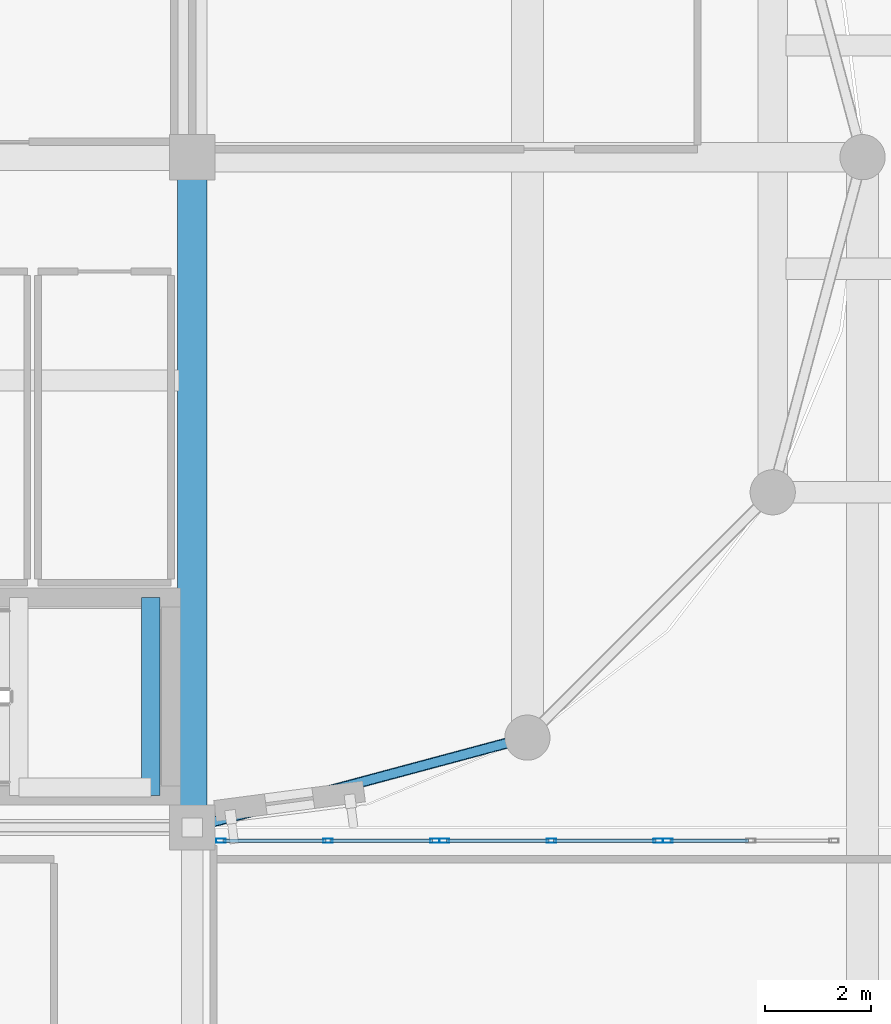
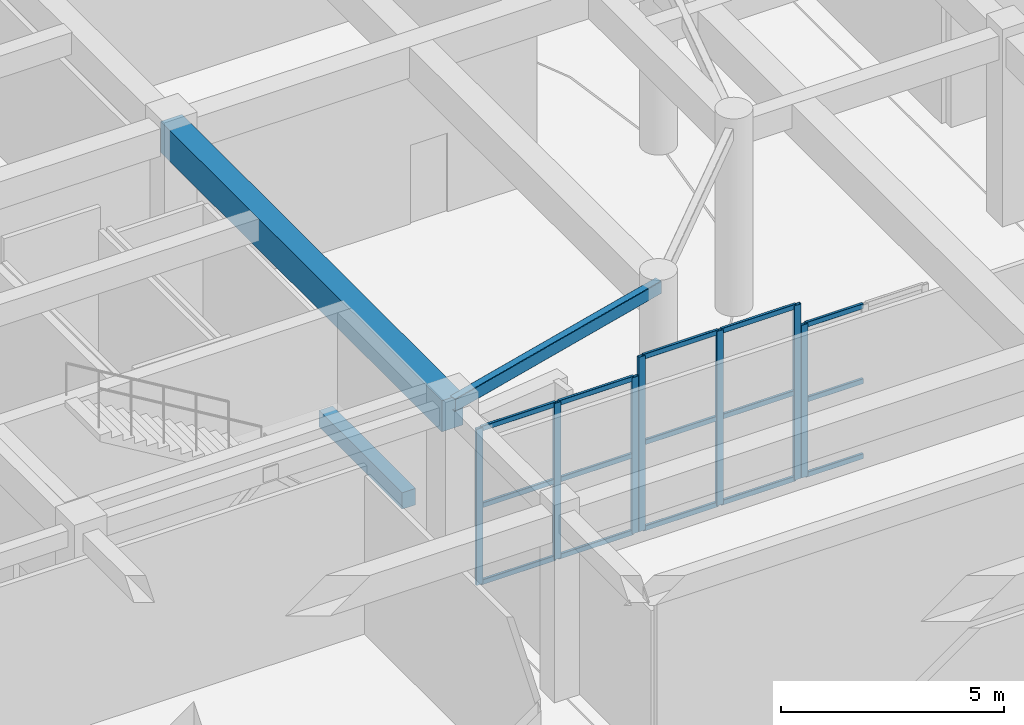
# One storey, part 38 of 98: 22 members, 3 beams, 3 elements without a shape of their own.
"""IFC4 building model written with IfcOpenShell, lengths in metres."""

import ifcopenshell
import ifcopenshell.guid

model = None  # the IFC model being written
_history = None  # IfcOwnerHistory: only IFC2X3 demands one
_inside = {}  # id of a spatial element -> (the spatial element, [elements in it])
_under = {}  # id of a project, library or spatial element -> (it, [spatial elements below it])
_declared = {}  # id of a project -> (the project, [libraries it declares])
_typed = {}  # id of a type object -> (the type object, [elements of that type])
_made_of = {}  # id of a material, layer set ... -> (it, [elements and type objects made of it])


def new_model(schema):
    """Start an empty IFC model of exactly this schema.

    Asked for "IFC4X3", IfcOpenShell would pick the latest addendum, in which some entities
    have other attributes; the version numbers below select the first issue.
    IFC2X3 requires an IfcOwnerHistory on every rooted entity: one is made here for all.
    """
    global model, _history
    if schema == "IFC4X3":
        model = ifcopenshell.file(schema_version=(4, 3, 0, 0))
    else:
        model = ifcopenshell.file(schema=schema)
    _inside.clear()
    _under.clear()
    _declared.clear()
    _typed.clear()
    _made_of.clear()
    _history = None
    if model.schema == "IFC2X3":
        org = make("IfcOrganization", Name="unknown")
        user = make(
            "IfcPersonAndOrganization",
            ThePerson=make("IfcPerson", FamilyName="unknown"),
            TheOrganization=org,
        )
        app = make(
            "IfcApplication",
            ApplicationDeveloper=org,
            Version="unknown",
            ApplicationFullName="unknown",
            ApplicationIdentifier="unknown",
        )
        _history = make(
            "IfcOwnerHistory",
            OwningUser=user,
            OwningApplication=app,
            ChangeAction="ADDED",
            CreationDate=0,
        )
    return model


def make(cls, **values):
    """One entity of the class cls with the attributes given. An attribute that is None is left unset."""
    return model.create_entity(
        cls, **{name: value for name, value in values.items() if value is not None}
    )


def rooted(cls, **values):
    """An entity with a GlobalId (a new one), such as an element, a storey or a relation."""
    return make(cls, GlobalId=ifcopenshell.guid.new(), OwnerHistory=_history, **values)


def si_unit(unit_type, name, prefix=None):
    """IfcSIUnit, for example si_unit("LENGTHUNIT", "METRE", prefix="MILLI")."""
    return make("IfcSIUnit", UnitType=unit_type, Prefix=prefix, Name=name)


def assignment(units):
    """IfcUnitAssignment: the units of a project."""
    return None if units is None else make("IfcUnitAssignment", Units=units)


def point(xyz):
    """IfcCartesianPoint."""
    return None if xyz is None else make("IfcCartesianPoint", Coordinates=xyz)


def direction(xyz):
    """IfcDirection."""
    return None if xyz is None else make("IfcDirection", DirectionRatios=xyz)


def frame(location, z_axis=None, x_axis=None):
    """IfcAxis2Placement3D, a coordinate frame: its origin and axes. An axis left out is left unset."""
    return make(
        "IfcAxis2Placement3D",
        Location=point(location),
        Axis=direction(z_axis),
        RefDirection=direction(x_axis),
    )


def frame_2d(location, x_axis=None):
    """IfcAxis2Placement2D, a coordinate frame in the plane: its origin and x axis."""
    return make(
        "IfcAxis2Placement2D", Location=point(location), RefDirection=direction(x_axis)
    )


def origin():
    """The frame at (0, 0, 0) with its axes left unset."""
    return frame((0.0, 0.0, 0.0))


def origin_2d():
    """The frame at (0, 0) in the plane with its x axis left unset."""
    return frame_2d((0.0, 0.0))


def place(relative_to, where):
    """IfcLocalPlacement: puts the frame where relative to a parent placement (None: the world)."""
    return make(
        "IfcLocalPlacement", PlacementRelTo=relative_to, RelativePlacement=where
    )


def context(
    kind, dimensions, precision=None, world=None, true_north=None, identifier=None
):
    """IfcGeometricRepresentationContext, for example the 3D "Model" context."""
    return make(
        "IfcGeometricRepresentationContext",
        ContextIdentifier=identifier,
        ContextType=kind,
        CoordinateSpaceDimension=dimensions,
        Precision=precision,
        WorldCoordinateSystem=world,
        TrueNorth=true_north,
    )


def subcontext(parent, identifier, kind, view, scale=None):
    """IfcGeometricRepresentationSubContext, for example "Body" below "Model"."""
    return make(
        "IfcGeometricRepresentationSubContext",
        ContextIdentifier=identifier,
        ContextType=kind,
        ParentContext=parent,
        TargetScale=scale,
        TargetView=view,
    )


def project(units=None, contexts=None):
    """IfcProject with its units and contexts."""
    return rooted(
        "IfcProject",
        Name="project",
        RepresentationContexts=contexts,
        UnitsInContext=assignment(units),
    )


def spatial(cls, under=None, at=None, **own):
    """A site, building, storey or space (cls), placed at a placement, below another one or the project."""
    s = rooted(cls, ObjectPlacement=at, **own)
    if under is not None:
        _under.setdefault(under.id(), (under, []))[1].append(s)
    return s


def profile(cls, at=None, kind="AREA", **sizes):
    """A parametric profile (cls). Its sizes go by their IFC names, for example OverallWidth=200.0."""
    return make(cls, ProfileType=kind, Position=at, **sizes)


def rectangle(**sizes):
    """IfcRectangleProfileDef."""
    return profile("IfcRectangleProfileDef", **sizes)


def hollow_rectangle(**sizes):
    """IfcRectangleHollowProfileDef."""
    return profile("IfcRectangleHollowProfileDef", **sizes)


def extrude(swept, where, along, depth):
    """IfcExtrudedAreaSolid: the profile swept, set in the frame where, extruded along a direction by depth."""
    return make(
        "IfcExtrudedAreaSolid",
        SweptArea=swept,
        Position=where,
        ExtrudedDirection=direction(along),
        Depth=depth,
    )


def shape(context_of_items, identifier, shape_type, items):
    """IfcShapeRepresentation: the items that make up one representation, for example the "Body"."""
    return make(
        "IfcShapeRepresentation",
        ContextOfItems=context_of_items,
        RepresentationIdentifier=identifier,
        RepresentationType=shape_type,
        Items=items,
    )


def material(Name=None, Category=None):
    """IfcMaterial."""
    return make("IfcMaterial", Name=Name, Category=Category)


def layer(
    of_material, thickness, ventilated=None, Name=None, Category=None, Priority=None
):
    """IfcMaterialLayer: one layer of a wall or slab, of a material (None: an air gap)."""
    return make(
        "IfcMaterialLayer",
        Material=of_material,
        LayerThickness=thickness,
        IsVentilated=ventilated,
        Name=Name,
        Category=Category,
        Priority=Priority,
    )


def layer_set(layers, Name=None):
    """IfcMaterialLayerSet."""
    return make("IfcMaterialLayerSet", MaterialLayers=layers, LayerSetName=Name)


def material_profile(
    of_material, cross_section, Name=None, Category=None, Priority=None
):
    """IfcMaterialProfile: a cross section and its material."""
    return make(
        "IfcMaterialProfile",
        Name=Name,
        Material=of_material,
        Profile=cross_section,
        Priority=Priority,
        Category=Category,
    )


def profile_set(profiles, Name=None, composite=None):
    """IfcMaterialProfileSet."""
    return make(
        "IfcMaterialProfileSet",
        Name=Name,
        MaterialProfiles=profiles,
        CompositeProfile=composite,
    )


def made_of(thing, what):
    """Note that an element or type object is made of a material, layer set ...; save() writes the relation."""
    if what is not None:
        _made_of.setdefault(what.id(), (what, []))[1].append(thing)
    return thing


def type_object(cls, material=None, **own):
    """A type object (cls), such as IfcWallType, which elements share."""
    return made_of(rooted(cls, **own), material)


def element(
    cls,
    number,
    at=None,
    inside=None,
    cuts=None,
    type_object=None,
    material=None,
    context=None,
    identifier="Body",
    shape_type=None,
    held_by="IfcProductDefinitionShape",
    body=None,
    shapes=None,
    **own,
):
    """One element of the class cls, such as IfcWall. Its Tag is "e" and its number.

    at: its placement. inside: the storey or other place that contains it. cuts: it is an
    opening in that element (IfcRelVoidsElement). A single representation is given by context,
    identifier, shape_type and body (its items); several are given by shapes. held_by: the class
    of the entity that holds the representations. save() writes the other relations.
    """
    e = rooted(cls, Tag="e%d" % number, ObjectPlacement=at, **own)
    if body is not None:
        shapes = [shape(context, identifier, shape_type, body)]
    if shapes is not None:
        e.Representation = make(held_by, Representations=shapes)
    if inside is not None:
        _inside.setdefault(inside.id(), (inside, []))[1].append(e)
    if cuts is not None:
        rooted(
            "IfcRelVoidsElement", RelatingBuildingElement=cuts, RelatedOpeningElement=e
        )
    if type_object is not None:
        _typed.setdefault(type_object.id(), (type_object, []))[1].append(e)
    return made_of(e, material)


def aggregate(whole, parts):
    """IfcRelAggregates: a whole, such as a stair, and the parts it consists of."""
    return rooted("IfcRelAggregates", RelatingObject=whole, RelatedObjects=parts)


def save(model, path):
    """Write the relations noted so far, then the file.

    IfcRelAggregates (storeys below a building ...), IfcRelContainedInSpatialStructure (elements
    in a storey), IfcRelDefinesByType, IfcRelAssociatesMaterial and IfcRelDeclares: one each for
    every whole, place, type object, material and project.
    """
    for whole, parts in _under.values():
        aggregate(whole, parts)
    for where, things in _inside.values():
        rooted(
            "IfcRelContainedInSpatialStructure",
            RelatedElements=things,
            RelatingStructure=where,
        )
    for kind, things in _typed.values():
        rooted("IfcRelDefinesByType", RelatedObjects=things, RelatingType=kind)
    for what, things in _made_of.values():
        rooted("IfcRelAssociatesMaterial", RelatedObjects=things, RelatingMaterial=what)
    for by, libraries in _declared.values():
        rooted("IfcRelDeclares", RelatingContext=by, RelatedDefinitions=libraries)
    model.write(path)


model = new_model("IFC4")

# Units and contexts
model_context = context("Model", 3, precision=1e-05, world=origin(), true_north=direction((0.0, 1.0)))
body_context = subcontext(model_context, "Body", "Model", "MODEL_VIEW")
ifc_project = project(units=[si_unit("LENGTHUNIT", "METRE"), si_unit("AREAUNIT", "SQUARE_METRE"), si_unit("VOLUMEUNIT", "CUBIC_METRE"), si_unit("PLANEANGLEUNIT", "RADIAN"), si_unit("MASSUNIT", "GRAM", prefix="KILO")], contexts=[model_context])

# Site, building, storey
site_placement = place(None, origin())
site = spatial("IfcSite", under=ifc_project, at=site_placement, CompositionType="ELEMENT")
building_placement = place(site_placement, origin())
building = spatial("IfcBuilding", under=site, at=building_placement, Name="Tarnavel Promenade Courthouse", CompositionType="ELEMENT")
storey_placement = place(building_placement, origin())
storey = spatial("IfcBuildingStorey", under=building, at=storey_placement, Name="L01", CompositionType="ELEMENT", Elevation=0.0)

# Beams
ifc_material_1 = material(Name="Concrete C40/50", Category="concrete")
ifc_material_profile_1 = material_profile(ifc_material_1, rectangle(XDim=0.550048828125, YDim=0.85009765625, at=origin_2d()), Name="PT 550x850")
ifc_profile_set_1 = profile_set([ifc_material_profile_1], Name="Concrete C40/50")
beam_type_1 = type_object("IfcBeamType", Name="Concrete C40/50 BM-PT-550x850 (PT 550x850)", PredefinedType="T_BEAM", material=ifc_profile_set_1)
beam_1_placement = place(storey_placement, frame((102.0, 79.199951171875, 4.7099609375), z_axis=(0.0, 1.0, 0.0), x_axis=(-1.0, 0.0, 0.0)))
element("IfcBeam", 1, at=beam_1_placement, inside=storey, type_object=beam_type_1, Name="L01 Transverse Girder 0824", PredefinedType="T_BEAM", context=body_context, shape_type="SweptSolid", body=[
    extrude(rectangle(XDim=0.550048828125, YDim=0.85009765625, at=origin_2d()), origin(), (0.0, 0.0, 1.0), 12.60009765625),
])
ifc_material_profile_2 = material_profile(ifc_material_1, rectangle(XDim=0.35009765625, YDim=0.449951171875, at=origin_2d()), Name="RC 350x450")
ifc_profile_set_2 = profile_set([ifc_material_profile_2], Name="Concrete C40/50")
beam_type_2 = type_object("IfcBeamType", Name="Concrete C40/50 BM-RC-350x450 (RC 350x450)", PredefinedType="BEAM", material=ifc_profile_set_2)
beam_2_placement = place(storey_placement, frame((101.219970703125, 79.800048828125, 2.27001953125), z_axis=(0.0, 1.0, 0.0), x_axis=(-1.0, 0.0, 0.0)))
element("IfcBeam", 2, at=beam_2_placement, inside=storey, type_object=beam_type_2, Name="L01 ST-02 Mid-Landing Support Beam Far", PredefinedType="BEAM", context=body_context, shape_type="SweptSolid", body=[
    extrude(rectangle(XDim=0.35009765625, YDim=0.449951171875, at=origin_2d()), origin(), (0.0, 0.0, 1.0), 3.719970703125),
])
ifc_material_2 = material(Name="Steel S355J2", Category="steel")
ifc_material_profile_3 = material_profile(ifc_material_2, hollow_rectangle(XDim=0.199951171875, YDim=0.35009765625, WallThickness=0.012451171875, InnerFilletRadius=0.012451171875, OuterFilletRadius=0.02490234375, at=origin_2d()), Name="RHS 350x200x12.5")
ifc_profile_set_3 = profile_set([ifc_material_profile_3], Name="Steel S355J2")
beam_type_3 = type_object("IfcBeamType", Name="Steel S355J2 BM-ST-RHS350 (RHS 350x200x12.5)", PredefinedType="SPANDREL", material=ifc_profile_set_3)
beam_3_placement = place(storey_placement, frame((102.0, 79.199951171875, 4.9599609375), z_axis=(0.965920481897, 0.258838989821, 0.0), x_axis=(-0.258838989821, 0.965920481897, 0.0)))
element("IfcBeam", 3, at=beam_3_placement, inside=storey, type_object=beam_type_3, Name="L01 Drum Ring Spandrel 1060", PredefinedType="SPANDREL", context=body_context, shape_type="SweptSolid", body=[
    extrude(hollow_rectangle(XDim=0.199951171875, YDim=0.35009765625, WallThickness=0.012451171875, InnerFilletRadius=0.012451171875, OuterFilletRadius=0.02490234375, at=origin_2d()), origin(), (0.0, 0.0, 1.0), 6.522216796875),
])

# Curtain wall, members
ifc_material_3 = material(Name="Thermally Broken Anodised Aluminium Curtain Wall System", Category="aluminium")
ifc_layer = layer(ifc_material_3, 0.2099609375)
ifc_layer_set = layer_set([ifc_layer], Name="Thermally Broken Anodised Aluminium Curtain Wall System")
curtain_wall_type = type_object("IfcCurtainWallType", Name="Thermally Broken Aluminium Triple-Glazed Curtain Wall CW-WG-N", PredefinedType="NOTDEFINED", material=ifc_layer_set)
curtain_wall_1_placement = place(storey_placement, origin())
curtain_wall_1 = element("IfcCurtainWall", 4, at=curtain_wall_1_placement, inside=storey, type_object=curtain_wall_type, Name="L01 Winter-Garden North Curtain Wall 105", PredefinedType="NOTDEFINED")
ifc_material_4 = material(Name="Thermally Broken Anodised Aluminium Frame", Category="aluminium")
ifc_material_profile_4 = material_profile(ifc_material_4, hollow_rectangle(XDim=0.080078125, YDim=0.179931640625, WallThickness=0.0048828125, InnerFilletRadius=0.0048828125, OuterFilletRadius=0.010009765625, at=origin_2d()), Name="CWM 180x80x5")
ifc_profile_set_4 = profile_set([ifc_material_profile_4], Name="Thermally Broken Anodised Aluminium Frame")
member_type_1 = type_object("IfcMemberType", Name="Thermally Broken Anodised Aluminium CWM-155 (CWM 180x80x5)", PredefinedType="MULLION", material=ifc_profile_set_4)
member_1_placement = place(storey_placement, frame((102.5400390625, 78.949951171875, 0.0), z_axis=(0.0, 0.0, 1.0), x_axis=(0.0, 1.0, 0.0)))
member_1 = element("IfcMember", 5, at=member_1_placement, type_object=member_type_1, Name="CW-03 mullion 1", PredefinedType="MULLION", context=body_context, shape_type="SweptSolid", body=[
    extrude(hollow_rectangle(XDim=0.080078125, YDim=0.179931640625, WallThickness=0.0048828125, InnerFilletRadius=0.0048828125, OuterFilletRadius=0.010009765625, at=origin_2d()), origin(), (0.0, 0.0, 1.0), 4.27001953125),
])
member_2_placement = place(storey_placement, frame((104.550048828125, 78.949951171875, 0.0), z_axis=(0.0, 0.0, 1.0), x_axis=(0.0, 1.0, 0.0)))
member_2 = element("IfcMember", 6, at=member_2_placement, type_object=member_type_1, Name="CW-03 mullion 2", PredefinedType="MULLION", context=body_context, shape_type="SweptSolid", body=[
    extrude(hollow_rectangle(XDim=0.080078125, YDim=0.179931640625, WallThickness=0.0048828125, InnerFilletRadius=0.0048828125, OuterFilletRadius=0.010009765625, at=origin_2d()), origin(), (0.0, 0.0, 1.0), 4.27001953125),
])
member_3_placement = place(storey_placement, frame((106.56005859375, 78.949951171875, 0.0), z_axis=(0.0, 0.0, 1.0), x_axis=(0.0, 1.0, 0.0)))
member_3 = element("IfcMember", 7, at=member_3_placement, type_object=member_type_1, Name="CW-03 mullion 3", PredefinedType="MULLION", context=body_context, shape_type="SweptSolid", body=[
    extrude(hollow_rectangle(XDim=0.080078125, YDim=0.179931640625, WallThickness=0.0048828125, InnerFilletRadius=0.0048828125, OuterFilletRadius=0.010009765625, at=origin_2d()), origin(), (0.0, 0.0, 1.0), 4.27001953125),
])

curtain_wall_2_placement = place(storey_placement, origin())
curtain_wall_2 = element("IfcCurtainWall", 8, at=curtain_wall_2_placement, inside=storey, type_object=curtain_wall_type, Name="L01 Winter-Garden North Curtain Wall 106", PredefinedType="NOTDEFINED")
member_4_placement = place(storey_placement, frame((106.739990234375, 78.949951171875, 0.0), z_axis=(0.0, 0.0, 1.0), x_axis=(0.0, 1.0, 0.0)))
member_4 = element("IfcMember", 9, at=member_4_placement, type_object=member_type_1, Name="CW-03 mullion 1", PredefinedType="MULLION", context=body_context, shape_type="SweptSolid", body=[
    extrude(hollow_rectangle(XDim=0.080078125, YDim=0.179931640625, WallThickness=0.0048828125, InnerFilletRadius=0.0048828125, OuterFilletRadius=0.010009765625, at=origin_2d()), origin(), (0.0, 0.0, 1.0), 4.77001953125),
])
member_5_placement = place(storey_placement, frame((108.75, 78.949951171875, 0.0), z_axis=(0.0, 0.0, 1.0), x_axis=(0.0, 1.0, 0.0)))
member_5 = element("IfcMember", 10, at=member_5_placement, type_object=member_type_1, Name="CW-03 mullion 2", PredefinedType="MULLION", context=body_context, shape_type="SweptSolid", body=[
    extrude(hollow_rectangle(XDim=0.080078125, YDim=0.179931640625, WallThickness=0.0048828125, InnerFilletRadius=0.0048828125, OuterFilletRadius=0.010009765625, at=origin_2d()), origin(), (0.0, 0.0, 1.0), 4.77001953125),
])
member_6_placement = place(storey_placement, frame((110.760009765625, 78.949951171875, 0.0), z_axis=(0.0, 0.0, 1.0), x_axis=(0.0, 1.0, 0.0)))
member_6 = element("IfcMember", 11, at=member_6_placement, type_object=member_type_1, Name="CW-03 mullion 3", PredefinedType="MULLION", context=body_context, shape_type="SweptSolid", body=[
    extrude(hollow_rectangle(XDim=0.080078125, YDim=0.179931640625, WallThickness=0.0048828125, InnerFilletRadius=0.0048828125, OuterFilletRadius=0.010009765625, at=origin_2d()), origin(), (0.0, 0.0, 1.0), 4.77001953125),
])

# Curtain wall, member
curtain_wall_3_placement = place(storey_placement, origin())
curtain_wall_3 = element("IfcCurtainWall", 12, at=curtain_wall_3_placement, inside=storey, type_object=curtain_wall_type, Name="L01 Winter-Garden North Curtain Wall 107", PredefinedType="NOTDEFINED")
member_7_placement = place(storey_placement, frame((110.93994140625, 78.949951171875, 0.0), z_axis=(0.0, 0.0, 1.0), x_axis=(0.0, 1.0, 0.0)))
member_7 = element("IfcMember", 13, at=member_7_placement, type_object=member_type_1, Name="CW-03 mullion 1", PredefinedType="MULLION", context=body_context, shape_type="SweptSolid", body=[
    extrude(hollow_rectangle(XDim=0.080078125, YDim=0.179931640625, WallThickness=0.0048828125, InnerFilletRadius=0.0048828125, OuterFilletRadius=0.010009765625, at=origin_2d()), origin(), (0.0, 0.0, 1.0), 4.169921875),
])

# Member
ifc_material_profile_5 = material_profile(ifc_material_4, hollow_rectangle(XDim=0.070068359375, YDim=0.139892578125, WallThickness=0.0048828125, InnerFilletRadius=0.0048828125, OuterFilletRadius=0.010009765625, at=origin_2d()), Name="CWT 140x70x5")
ifc_profile_set_5 = profile_set([ifc_material_profile_5], Name="Thermally Broken Anodised Aluminium Frame")
member_type_2 = type_object("IfcMemberType", Name="Thermally Broken Anodised Aluminium CWT-125 (CWT 140x70x5)", PredefinedType="USERDEFINED", material=ifc_profile_set_5)
member_8_placement = place(storey_placement, frame((102.580078125, 78.949951171875, 0.034912109375), z_axis=(1.0, 0.0, 0.0), x_axis=(0.0, 1.0, 0.0)))
member_8 = element("IfcMember", 14, at=member_8_placement, type_object=member_type_2, Name="CW-03 transom 1.1", ObjectType="TRANSOM", PredefinedType="USERDEFINED", context=body_context, shape_type="SweptSolid", body=[
    extrude(hollow_rectangle(XDim=0.070068359375, YDim=0.139892578125, WallThickness=0.0048828125, InnerFilletRadius=0.0048828125, OuterFilletRadius=0.010009765625, at=origin_2d()), origin(), (0.0, 0.0, 1.0), 1.929931640625),
])

member_9_placement = place(storey_placement, frame((102.580078125, 78.949951171875, 2.135009765625), z_axis=(1.0, 0.0, 0.0), x_axis=(0.0, 1.0, 0.0)))
member_9 = element("IfcMember", 15, at=member_9_placement, type_object=member_type_2, Name="CW-03 transom 1.2", ObjectType="TRANSOM", PredefinedType="USERDEFINED", context=body_context, shape_type="SweptSolid", body=[
    extrude(hollow_rectangle(XDim=0.070068359375, YDim=0.139892578125, WallThickness=0.0048828125, InnerFilletRadius=0.0048828125, OuterFilletRadius=0.010009765625, at=origin_2d()), origin(), (0.0, 0.0, 1.0), 1.929931640625),
])

member_10_placement = place(storey_placement, frame((102.580078125, 78.949951171875, 4.235107421875), z_axis=(1.0, 0.0, 0.0), x_axis=(0.0, 1.0, 0.0)))
member_10 = element("IfcMember", 16, at=member_10_placement, type_object=member_type_2, Name="CW-03 transom 1.3", ObjectType="TRANSOM", PredefinedType="USERDEFINED", context=body_context, shape_type="SweptSolid", body=[
    extrude(hollow_rectangle(XDim=0.070068359375, YDim=0.139892578125, WallThickness=0.0048828125, InnerFilletRadius=0.0048828125, OuterFilletRadius=0.010009765625, at=origin_2d()), origin(), (0.0, 0.0, 1.0), 1.929931640625),
])

member_11_placement = place(storey_placement, frame((104.590087890625, 78.949951171875, 0.034912109375), z_axis=(1.0, 0.0, 0.0), x_axis=(0.0, 1.0, 0.0)))
member_11 = element("IfcMember", 17, at=member_11_placement, type_object=member_type_2, Name="CW-03 transom 2.1", ObjectType="TRANSOM", PredefinedType="USERDEFINED", context=body_context, shape_type="SweptSolid", body=[
    extrude(hollow_rectangle(XDim=0.070068359375, YDim=0.139892578125, WallThickness=0.0048828125, InnerFilletRadius=0.0048828125, OuterFilletRadius=0.010009765625, at=origin_2d()), origin(), (0.0, 0.0, 1.0), 1.929931640625),
])

member_12_placement = place(storey_placement, frame((104.590087890625, 78.949951171875, 2.135009765625), z_axis=(1.0, 0.0, 0.0), x_axis=(0.0, 1.0, 0.0)))
member_12 = element("IfcMember", 18, at=member_12_placement, type_object=member_type_2, Name="CW-03 transom 2.2", ObjectType="TRANSOM", PredefinedType="USERDEFINED", context=body_context, shape_type="SweptSolid", body=[
    extrude(hollow_rectangle(XDim=0.070068359375, YDim=0.139892578125, WallThickness=0.0048828125, InnerFilletRadius=0.0048828125, OuterFilletRadius=0.010009765625, at=origin_2d()), origin(), (0.0, 0.0, 1.0), 1.929931640625),
])

member_13_placement = place(storey_placement, frame((104.590087890625, 78.949951171875, 4.235107421875), z_axis=(1.0, 0.0, 0.0), x_axis=(0.0, 1.0, 0.0)))
member_13 = element("IfcMember", 19, at=member_13_placement, type_object=member_type_2, Name="CW-03 transom 2.3", ObjectType="TRANSOM", PredefinedType="USERDEFINED", context=body_context, shape_type="SweptSolid", body=[
    extrude(hollow_rectangle(XDim=0.070068359375, YDim=0.139892578125, WallThickness=0.0048828125, InnerFilletRadius=0.0048828125, OuterFilletRadius=0.010009765625, at=origin_2d()), origin(), (0.0, 0.0, 1.0), 1.929931640625),
])

aggregate(curtain_wall_1, [member_1, member_2, member_3, member_8, member_9, member_10, member_11, member_12, member_13])

member_14_placement = place(storey_placement, frame((106.780029296875, 78.949951171875, 0.034912109375), z_axis=(1.0, 0.0, 0.0), x_axis=(0.0, 1.0, 0.0)))
member_14 = element("IfcMember", 20, at=member_14_placement, type_object=member_type_2, Name="CW-03 transom 1.1", ObjectType="TRANSOM", PredefinedType="USERDEFINED", context=body_context, shape_type="SweptSolid", body=[
    extrude(hollow_rectangle(XDim=0.070068359375, YDim=0.139892578125, WallThickness=0.0048828125, InnerFilletRadius=0.0048828125, OuterFilletRadius=0.010009765625, at=origin_2d()), origin(), (0.0, 0.0, 1.0), 1.929931640625),
])

member_15_placement = place(storey_placement, frame((106.780029296875, 78.949951171875, 2.385009765625), z_axis=(1.0, 0.0, 0.0), x_axis=(0.0, 1.0, 0.0)))
member_15 = element("IfcMember", 21, at=member_15_placement, type_object=member_type_2, Name="CW-03 transom 1.2", ObjectType="TRANSOM", PredefinedType="USERDEFINED", context=body_context, shape_type="SweptSolid", body=[
    extrude(hollow_rectangle(XDim=0.070068359375, YDim=0.139892578125, WallThickness=0.0048828125, InnerFilletRadius=0.0048828125, OuterFilletRadius=0.010009765625, at=origin_2d()), origin(), (0.0, 0.0, 1.0), 1.929931640625),
])

member_16_placement = place(storey_placement, frame((106.780029296875, 78.949951171875, 4.735107421875), z_axis=(1.0, 0.0, 0.0), x_axis=(0.0, 1.0, 0.0)))
member_16 = element("IfcMember", 22, at=member_16_placement, type_object=member_type_2, Name="CW-03 transom 1.3", ObjectType="TRANSOM", PredefinedType="USERDEFINED", context=body_context, shape_type="SweptSolid", body=[
    extrude(hollow_rectangle(XDim=0.070068359375, YDim=0.139892578125, WallThickness=0.0048828125, InnerFilletRadius=0.0048828125, OuterFilletRadius=0.010009765625, at=origin_2d()), origin(), (0.0, 0.0, 1.0), 1.929931640625),
])

member_17_placement = place(storey_placement, frame((108.7900390625, 78.949951171875, 0.034912109375), z_axis=(1.0, 0.0, 0.0), x_axis=(0.0, 1.0, 0.0)))
member_17 = element("IfcMember", 23, at=member_17_placement, type_object=member_type_2, Name="CW-03 transom 2.1", ObjectType="TRANSOM", PredefinedType="USERDEFINED", context=body_context, shape_type="SweptSolid", body=[
    extrude(hollow_rectangle(XDim=0.070068359375, YDim=0.139892578125, WallThickness=0.0048828125, InnerFilletRadius=0.0048828125, OuterFilletRadius=0.010009765625, at=origin_2d()), origin(), (0.0, 0.0, 1.0), 1.929931640625),
])

member_18_placement = place(storey_placement, frame((108.7900390625, 78.949951171875, 2.385009765625), z_axis=(1.0, 0.0, 0.0), x_axis=(0.0, 1.0, 0.0)))
member_18 = element("IfcMember", 24, at=member_18_placement, type_object=member_type_2, Name="CW-03 transom 2.2", ObjectType="TRANSOM", PredefinedType="USERDEFINED", context=body_context, shape_type="SweptSolid", body=[
    extrude(hollow_rectangle(XDim=0.070068359375, YDim=0.139892578125, WallThickness=0.0048828125, InnerFilletRadius=0.0048828125, OuterFilletRadius=0.010009765625, at=origin_2d()), origin(), (0.0, 0.0, 1.0), 1.929931640625),
])

member_19_placement = place(storey_placement, frame((108.7900390625, 78.949951171875, 4.735107421875), z_axis=(1.0, 0.0, 0.0), x_axis=(0.0, 1.0, 0.0)))
member_19 = element("IfcMember", 25, at=member_19_placement, type_object=member_type_2, Name="CW-03 transom 2.3", ObjectType="TRANSOM", PredefinedType="USERDEFINED", context=body_context, shape_type="SweptSolid", body=[
    extrude(hollow_rectangle(XDim=0.070068359375, YDim=0.139892578125, WallThickness=0.0048828125, InnerFilletRadius=0.0048828125, OuterFilletRadius=0.010009765625, at=origin_2d()), origin(), (0.0, 0.0, 1.0), 1.929931640625),
])

aggregate(curtain_wall_2, [member_4, member_5, member_6, member_14, member_15, member_16, member_17, member_18, member_19])

member_20_placement = place(storey_placement, frame((110.97998046875, 78.949951171875, 0.034912109375), z_axis=(1.0, 0.0, 0.0), x_axis=(0.0, 1.0, 0.0)))
member_20 = element("IfcMember", 26, at=member_20_placement, type_object=member_type_2, Name="CW-03 transom 1.1", ObjectType="TRANSOM", PredefinedType="USERDEFINED", context=body_context, shape_type="SweptSolid", body=[
    extrude(hollow_rectangle(XDim=0.070068359375, YDim=0.139892578125, WallThickness=0.0048828125, InnerFilletRadius=0.0048828125, OuterFilletRadius=0.010009765625, at=origin_2d()), origin(), (0.0, 0.0, 1.0), 1.47998046875),
])

member_21_placement = place(storey_placement, frame((110.97998046875, 78.949951171875, 2.0849609375), z_axis=(1.0, 0.0, 0.0), x_axis=(0.0, 1.0, 0.0)))
member_21 = element("IfcMember", 27, at=member_21_placement, type_object=member_type_2, Name="CW-03 transom 1.2", ObjectType="TRANSOM", PredefinedType="USERDEFINED", context=body_context, shape_type="SweptSolid", body=[
    extrude(hollow_rectangle(XDim=0.070068359375, YDim=0.139892578125, WallThickness=0.0048828125, InnerFilletRadius=0.0048828125, OuterFilletRadius=0.010009765625, at=origin_2d()), origin(), (0.0, 0.0, 1.0), 1.47998046875),
])

member_22_placement = place(storey_placement, frame((110.97998046875, 78.949951171875, 4.135009765625), z_axis=(1.0, 0.0, 0.0), x_axis=(0.0, 1.0, 0.0)))
member_22 = element("IfcMember", 28, at=member_22_placement, type_object=member_type_2, Name="CW-03 transom 1.3", ObjectType="TRANSOM", PredefinedType="USERDEFINED", context=body_context, shape_type="SweptSolid", body=[
    extrude(hollow_rectangle(XDim=0.070068359375, YDim=0.139892578125, WallThickness=0.0048828125, InnerFilletRadius=0.0048828125, OuterFilletRadius=0.010009765625, at=origin_2d()), origin(), (0.0, 0.0, 1.0), 1.47998046875),
])

aggregate(curtain_wall_3, [member_7, member_20, member_21, member_22])

save(model, "model.ifc")
